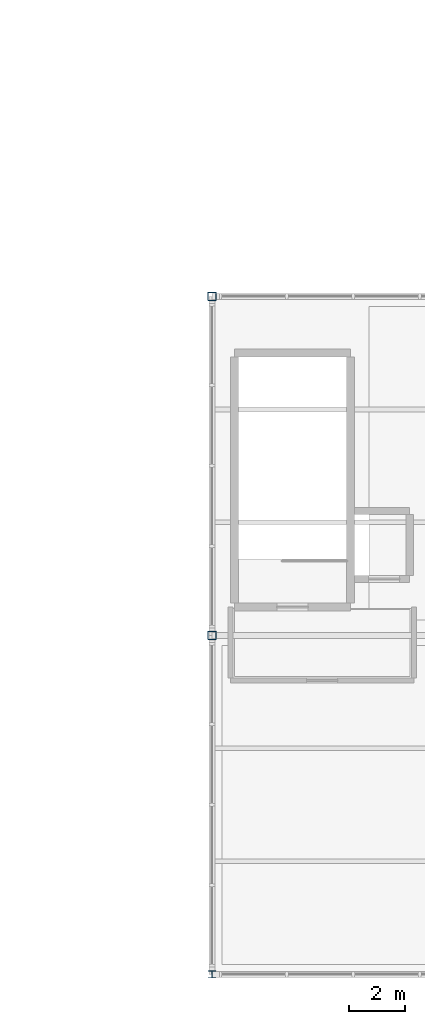
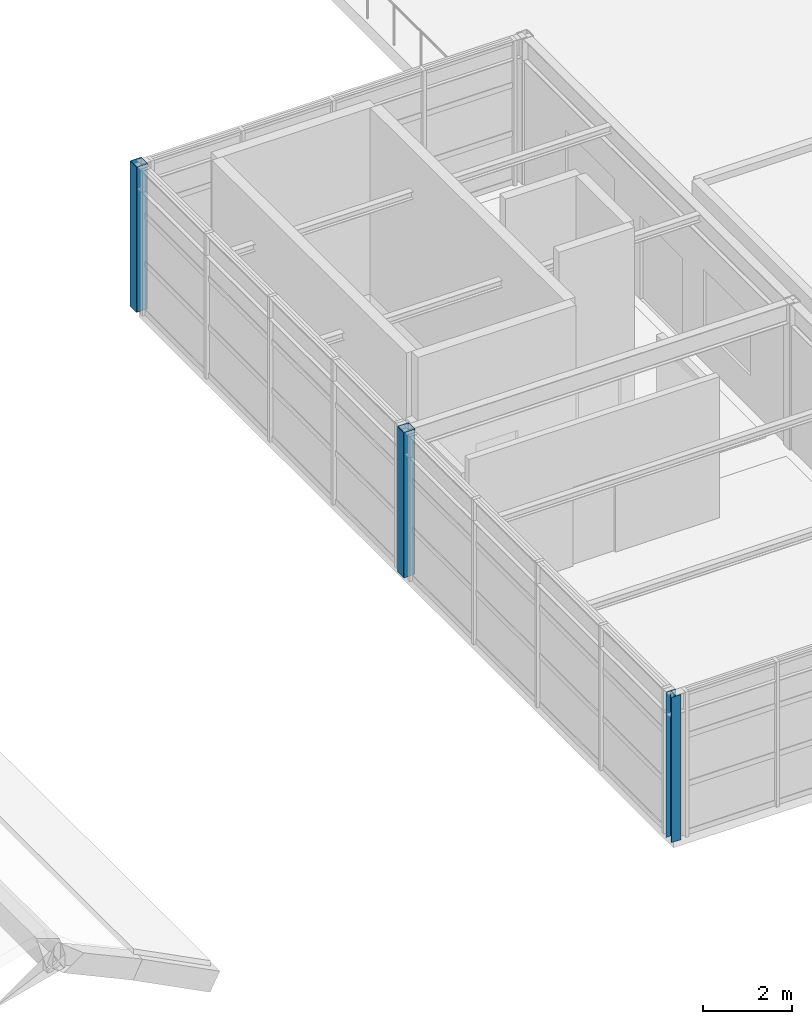
# One storey, part 1 of 49: 3 columns.
"""IFC4 building model written with IfcOpenShell, lengths in metres."""

from ifc_helpers import new_model, si_unit, direction, frame, origin, origin_2d, place, context, subcontext, project, spatial, hollow_rectangle, i_section, extrude, material, material_profile, profile_set, type_object, element, save


model = new_model("IFC4")

# Units and contexts
model_context = context("Model", 3, precision=1e-05, world=origin(), true_north=direction((0.0, 1.0)))
body_context = subcontext(model_context, "Body", "Model", "MODEL_VIEW")
ifc_project = project(units=[si_unit("LENGTHUNIT", "METRE"), si_unit("AREAUNIT", "SQUARE_METRE"), si_unit("VOLUMEUNIT", "CUBIC_METRE"), si_unit("PLANEANGLEUNIT", "RADIAN"), si_unit("MASSUNIT", "GRAM", prefix="KILO")], contexts=[model_context])

# Site, building, storey
site_placement = place(None, origin())
site = spatial("IfcSite", under=ifc_project, at=site_placement, CompositionType="ELEMENT")
building_placement = place(site_placement, origin())
building = spatial("IfcBuilding", under=site, at=building_placement, Name="Sitalva Quay Ferry Terminal", CompositionType="ELEMENT")
storey_placement = place(building_placement, frame((0.0, 0.0, 10.199951171875)))
storey = spatial("IfcBuildingStorey", under=building, at=storey_placement, Name="L03", CompositionType="ELEMENT", Elevation=10.199951171875)

# Columns
ifc_material_1 = material(Name="Structural Steel S355JR", Category="steel")
ifc_material_profile_1 = material_profile(ifc_material_1, hollow_rectangle(XDim=0.300048828125, YDim=0.300048828125, WallThickness=0.012451171875, InnerFilletRadius=0.012451171875, OuterFilletRadius=0.02490234375, at=origin_2d()), Name="SHS300x300x12.5")
ifc_profile_set_1 = profile_set([ifc_material_profile_1], Name="Structural Steel S355JR")
column_type_1 = type_object("IfcColumnType", Name="Col_SHS300x12", PredefinedType="COLUMN", material=ifc_profile_set_1)
for number, where, z_axis, x_axis, name in (
    (1, (74.0, 18.0, 0.0), (0.0, 0.0, 1.0), (1.0, 0.0, 0.0), "L03 column 10D"),
    (2, (74.0, 30.0, 0.0), (0.0, 0.0, 1.0), (1.0, 0.0, 0.0), "L03 column 10E"),
):
    element("IfcColumn", number, at=place(storey_placement, frame(where, z_axis=z_axis, x_axis=x_axis)), inside=storey, type_object=column_type_1, Name=name, PredefinedType="COLUMN", context=body_context, shape_type="SweptSolid", body=[
        extrude(hollow_rectangle(XDim=0.300048828125, YDim=0.300048828125, WallThickness=0.012451171875, InnerFilletRadius=0.012451171875, OuterFilletRadius=0.02490234375, at=origin_2d()), origin(), (0.0, 0.0, 1.0), 3.97998046875),
    ])
ifc_material_2 = material(Name="Structural Steel S355JR", Category="steel")
ifc_material_profile_2 = material_profile(ifc_material_2, i_section(OverallWidth=0.25390625, OverallDepth=0.2529296875, WebThickness=0.008544921875, FlangeThickness=0.01416015625, FilletRadius=0.011962890625, at=origin_2d()), Name="W250x73")
ifc_profile_set_2 = profile_set([ifc_material_profile_2], Name="Structural Steel S355JR")
column_type_2 = type_object("IfcColumnType", Name="Col_W250x73", PredefinedType="COLUMN", material=ifc_profile_set_2)
column_placement = place(storey_placement, frame((74.0, 6.0, 0.0), z_axis=(0.0, 0.0, 1.0), x_axis=(1.0, 0.0, 0.0)))
element("IfcColumn", 3, at=column_placement, inside=storey, type_object=column_type_2, Name="L03 column 10C", PredefinedType="COLUMN", context=body_context, shape_type="SweptSolid", body=[
    extrude(i_section(OverallWidth=0.25390625, OverallDepth=0.2529296875, WebThickness=0.008544921875, FlangeThickness=0.01416015625, FilletRadius=0.011962890625, at=origin_2d()), origin(), (0.0, 0.0, 1.0), 3.97998046875),
])

save(model, "model.ifc")
